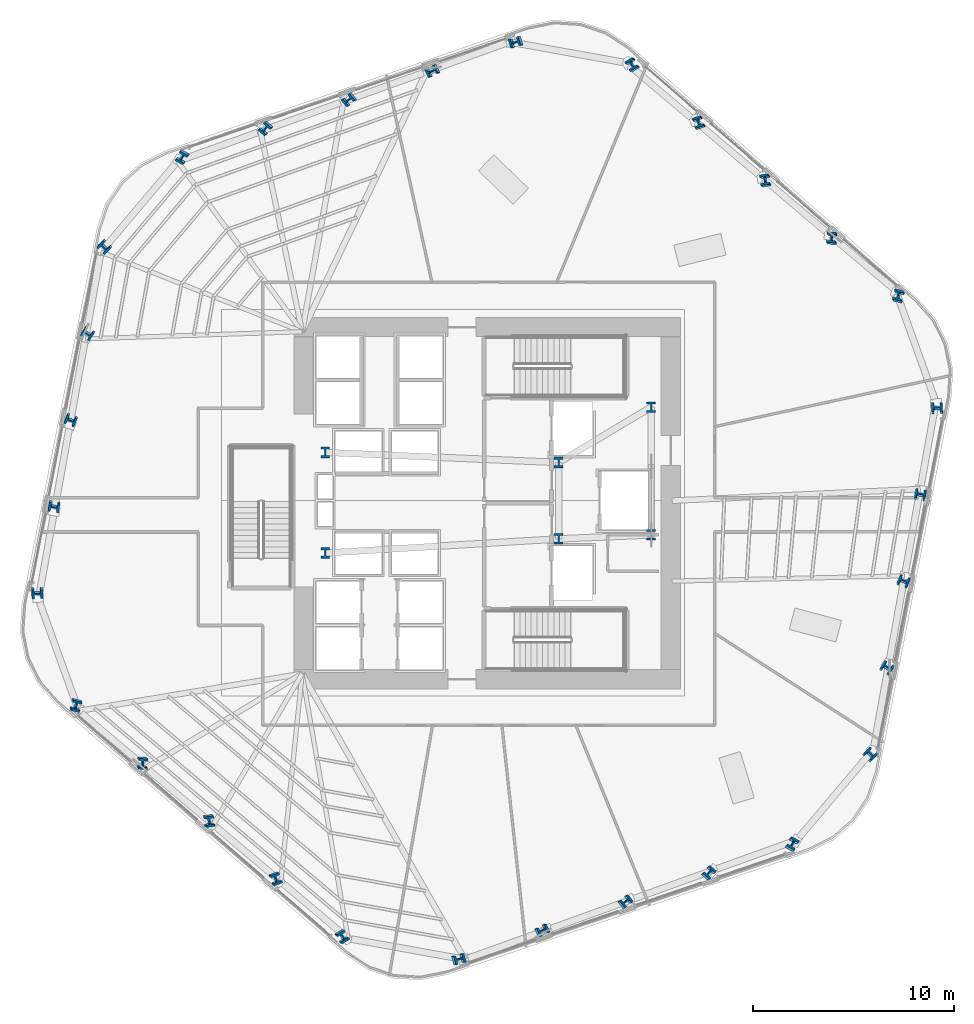
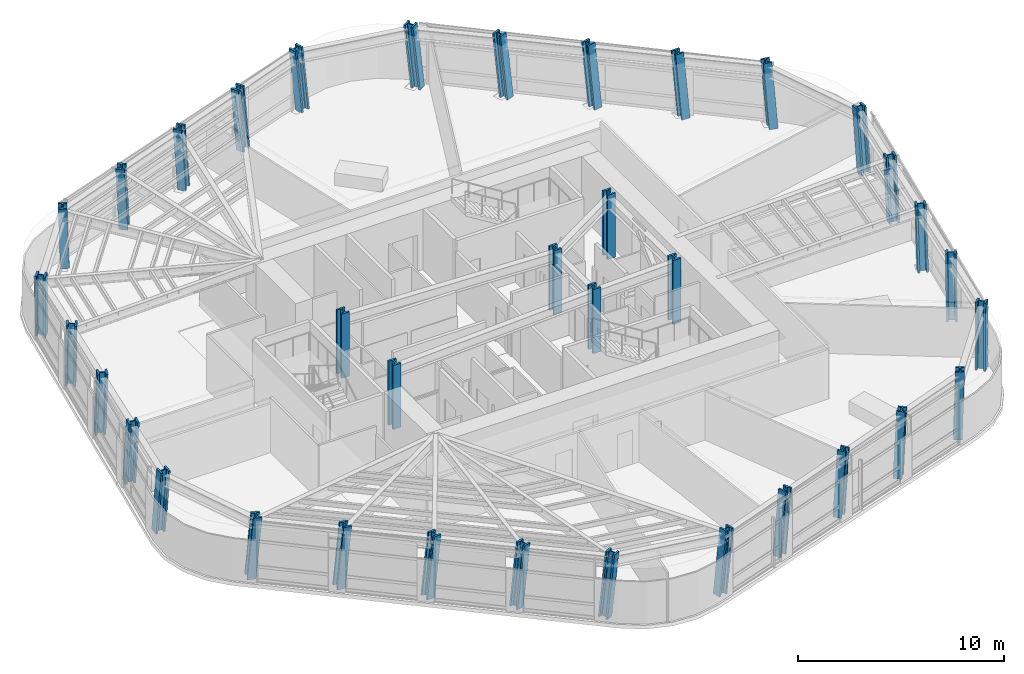
# One storey, part 1 of 16: 36 columns.
"""IFC4 building model written with IfcOpenShell, lengths in metres."""

from ifc_helpers import new_model, si_unit, direction, frame, origin, origin_2d, place, context, subcontext, project, spatial, i_section, extrude, material, material_profile, profile_set, type_object, element, save


model = new_model("IFC4")

# Units and contexts
model_context = context("Model", 3, precision=1e-05, world=origin(), true_north=direction((0.0, 1.0)))
body_context = subcontext(model_context, "Body", "Model", "MODEL_VIEW")
ifc_project = project(units=[si_unit("LENGTHUNIT", "METRE"), si_unit("AREAUNIT", "SQUARE_METRE"), si_unit("VOLUMEUNIT", "CUBIC_METRE"), si_unit("PLANEANGLEUNIT", "RADIAN"), si_unit("MASSUNIT", "GRAM", prefix="KILO")], contexts=[model_context])

# Site, building, storey
site_placement = place(None, origin())
site = spatial("IfcSite", under=ifc_project, at=site_placement, CompositionType="ELEMENT")
building_placement = place(site_placement, origin())
building = spatial("IfcBuilding", under=site, at=building_placement, Name="Valkerne Bourse Tower", CompositionType="ELEMENT")
storey_placement = place(building_placement, frame((0.0, 0.0, 104.800048828125)))
storey = spatial("IfcBuildingStorey", under=building, at=storey_placement, Name="L26", CompositionType="ELEMENT", Elevation=104.800048828125)

# Columns
ifc_material = material(Name="Steel ASTM A913 Grade 65", Category="steel")
ifc_material_profile = material_profile(ifc_material, i_section(OverallWidth=0.44189453125, OverallDepth=0.531005859375, WebThickness=0.06591796875, FlangeThickness=0.105712890625, FilletRadius=0.030517578125, at=origin_2d()), Name="W14X605")
ifc_profile_set = profile_set([ifc_material_profile], Name="Steel ASTM A913 Grade 65")
column_type = type_object("IfcColumnType", Name="COL-W14X605", PredefinedType="COLUMN", material=ifc_profile_set)
for number, where, z_axis, x_axis, name in (
    (1, (38.75, 24.39990234375, 0.0048828125), (0.0, 0.0, 1.0), (1.0, 0.0, 0.0), "L26 Core Frame Column CC-SW"),
    (2, (38.75, 29.39990234375, 0.0048828125), (0.0, 0.0, 1.0), (1.0, 0.0, 0.0), "L26 Core Frame Column CC-NW"),
    (3, (50.35009765625, 25.10009765625, 0.0048828125), (0.0, 0.0, 1.0), (1.0, 0.0, 0.0), "L26 Core Frame Column CC-CE1"),
    (4, (50.35009765625, 28.89990234375, 0.0048828125), (0.0, 0.0, 1.0), (1.0, 0.0, 0.0), "L26 Core Frame Column CC-CE2"),
    (5, (54.949951171875, 25.300048828125, 0.0048828125), (0.0, 0.0, 1.0), (1.0, 0.0, 0.0), "L26 Core Frame Column CC-SE"),
    (6, (54.949951171875, 31.64990234375, 0.0048828125), (0.0, 0.0, 1.0), (1.0, 0.0, 0.0), "L26 Core Frame Column CC-NE"),
):
    element("IfcColumn", number, at=place(storey_placement, frame(where, z_axis=z_axis, x_axis=x_axis)), inside=storey, type_object=column_type, Name=name, PredefinedType="COLUMN", context=body_context, shape_type="SweptSolid", body=[
        extrude(i_section(OverallWidth=0.44189453125, OverallDepth=0.531005859375, WebThickness=0.06591796875, FlangeThickness=0.105712890625, FilletRadius=0.030517578125, at=origin_2d()), origin(), (0.0, 0.0, 1.0), 3.795166015625),
    ])
column_1_placement = place(storey_placement, frame((67.268310546875, 37.12841796875, 0.010009765625), z_axis=(-0.042554608269, 0.084273552026, 0.995533562339), x_axis=(0.967657171188, -0.244515740525, 0.062061676448)))
element("IfcColumn", 7, at=column_1_placement, inside=storey, type_object=column_type, Name="L26 Helical Perimeter Tube Column F1-C1", PredefinedType="COLUMN", context=body_context, shape_type="SweptSolid", body=[
    extrude(i_section(OverallWidth=0.44189453125, OverallDepth=0.531005859375, WebThickness=0.06591796875, FlangeThickness=0.105712890625, FilletRadius=0.030517578125, at=origin_2d()), origin(), (0.0, 0.0, 1.0), 3.7978515625),
])
column_2_placement = place(storey_placement, frame((63.96533203125, 40.009765625, 0.010009765625), z_axis=(-0.054409218296, 0.070551905993, 0.996023124995), x_axis=(0.996579813475, -0.058295444049, 0.058568904521)))
element("IfcColumn", 8, at=column_2_placement, inside=storey, type_object=column_type, Name="L26 Helical Perimeter Tube Column F1-C2", PredefinedType="COLUMN", context=body_context, shape_type="SweptSolid", body=[
    extrude(i_section(OverallWidth=0.44189453125, OverallDepth=0.531005859375, WebThickness=0.06591796875, FlangeThickness=0.105712890625, FilletRadius=0.030517578125, at=origin_2d()), origin(), (0.0, 0.0, 1.0), 3.796142578125),
])
column_3_placement = place(storey_placement, frame((60.66259765625, 42.890869140625, 0.010009765625), z_axis=(-0.066253421397, 0.056862159723, 0.996181298231), x_axis=(0.987716186497, 0.1453361351, 0.057394623146)))
element("IfcColumn", 9, at=column_3_placement, inside=storey, type_object=column_type, Name="L26 Helical Perimeter Tube Column F1-C3", PredefinedType="COLUMN", context=body_context, shape_type="SweptSolid", body=[
    extrude(i_section(OverallWidth=0.44189453125, OverallDepth=0.531005859375, WebThickness=0.06591796875, FlangeThickness=0.105712890625, FilletRadius=0.030517578125, at=origin_2d()), origin(), (0.0, 0.0, 1.0), 3.79541015625),
])
column_4_placement = place(storey_placement, frame((57.359619140625, 45.772216796875, 0.010009765625), z_axis=(-0.078012087052, 0.043089940911, 0.996020768491), x_axis=(0.937486663564, 0.343054529885, 0.058586219919)))
element("IfcColumn", 10, at=column_4_placement, inside=storey, type_object=column_type, Name="L26 Helical Perimeter Tube Column F1-C4", PredefinedType="COLUMN", context=body_context, shape_type="SweptSolid", body=[
    extrude(i_section(OverallWidth=0.44189453125, OverallDepth=0.531005859375, WebThickness=0.06591796875, FlangeThickness=0.105712890625, FilletRadius=0.030517578125, at=origin_2d()), origin(), (0.0, 0.0, 1.0), 3.796142578125),
])
for number, where, z_axis, x_axis, name in (
    (11, (54.056884765625, 48.653564453125, 0.010009765625), (-0.089801315504, 0.029312383586, 0.995528255703), (0.855963296905, 0.513293889231, 0.062098451107), "L26 Helical Perimeter Tube Column F1-C5"),
    (12, (48.2626953125, 49.790283203125, 0.010009765625), (-0.094301166128, 0.005271094494, 0.995529761298), (-0.269166511682, 0.962607619164, -0.030593471777), "L26 Helical Perimeter Tube Column F2-C1"),
):
    element("IfcColumn", number, at=place(storey_placement, frame(where, z_axis=z_axis, x_axis=x_axis)), inside=storey, type_object=column_type, Name=name, PredefinedType="COLUMN", context=body_context, shape_type="SweptSolid", body=[
        extrude(i_section(OverallWidth=0.44189453125, OverallDepth=0.531005859375, WebThickness=0.06591796875, FlangeThickness=0.105712890625, FilletRadius=0.030517578125, at=origin_2d()), origin(), (0.0, 0.0, 1.0), 3.798095703125),
    ])
column_5_placement = place(storey_placement, frame((44.115966796875, 48.37060546875, 0.010009765625), z_axis=(-0.088302456678, -0.011833686838, 0.99602341338), x_axis=(-0.445435074695, 0.894849030075, -0.028858406149)))
element("IfcColumn", 13, at=column_5_placement, inside=storey, type_object=column_type, Name="L26 Helical Perimeter Tube Column F2-C2", PredefinedType="COLUMN", context=body_context, shape_type="SweptSolid", body=[
    extrude(i_section(OverallWidth=0.44189453125, OverallDepth=0.531005859375, WebThickness=0.06591796875, FlangeThickness=0.105712890625, FilletRadius=0.030517578125, at=origin_2d()), origin(), (0.0, 0.0, 1.0), 3.796142578125),
])
column_6_placement = place(storey_placement, frame((39.96923828125, 46.95068359375, 0.010009765625), z_axis=(-0.082334750053, -0.028881486542, 0.996186151615), x_axis=(-0.61765287133, 0.78594283489, -0.02826288774)))
element("IfcColumn", 14, at=column_6_placement, inside=storey, type_object=column_type, Name="L26 Helical Perimeter Tube Column F2-C3", PredefinedType="COLUMN", context=body_context, shape_type="SweptSolid", body=[
    extrude(i_section(OverallWidth=0.44189453125, OverallDepth=0.531005859375, WebThickness=0.06591796875, FlangeThickness=0.105712890625, FilletRadius=0.030517578125, at=origin_2d()), origin(), (0.0, 0.0, 1.0), 3.79541015625),
])
column_7_placement = place(storey_placement, frame((35.822509765625, 45.531005859375, 0.010009765625), z_axis=(-0.076275787175, -0.046048451617, 0.996022863389), x_axis=(-0.765163639954, 0.643188682684, -0.028860397765)))
element("IfcColumn", 15, at=column_7_placement, inside=storey, type_object=column_type, Name="L26 Helical Perimeter Tube Column F2-C4", PredefinedType="COLUMN", context=body_context, shape_type="SweptSolid", body=[
    extrude(i_section(OverallWidth=0.44189453125, OverallDepth=0.531005859375, WebThickness=0.06591796875, FlangeThickness=0.105712890625, FilletRadius=0.030517578125, at=origin_2d()), origin(), (0.0, 0.0, 1.0), 3.796142578125),
])
for number, where, z_axis, x_axis, name in (
    (16, (31.67578125, 44.111328125, 0.010009765625), (-0.070259809479, -0.063124549779, 0.995529432205), (-0.8721677387, 0.488249328013, -0.030594595357), "L26 Helical Perimeter Tube Column F2-C5"),
    (17, (27.79443359375, 39.661865234375, 0.010009765625), (-0.051746757435, -0.079002192406, 0.995530475018), (-0.696323860507, -0.711719460759, -0.092674108929), "L26 Helical Perimeter Tube Column F3-C1"),
):
    element("IfcColumn", number, at=place(storey_placement, frame(where, z_axis=z_axis, x_axis=x_axis)), inside=storey, type_object=column_type, Name=name, PredefinedType="COLUMN", context=body_context, shape_type="SweptSolid", body=[
        extrude(i_section(OverallWidth=0.44189453125, OverallDepth=0.531005859375, WebThickness=0.06591796875, FlangeThickness=0.105712890625, FilletRadius=0.030517578125, at=origin_2d()), origin(), (0.0, 0.0, 1.0), 3.798095703125),
    ])
column_8_placement = place(storey_placement, frame((26.95068359375, 35.36083984375, 0.010009765625), z_axis=(-0.033957482771, -0.082385483768, 0.996021847867), x_axis=(-0.550454874098, -0.83027300602, -0.087442364192)))
element("IfcColumn", 18, at=column_8_placement, inside=storey, type_object=column_type, Name="L26 Helical Perimeter Tube Column F3-C2", PredefinedType="COLUMN", context=body_context, shape_type="SweptSolid", body=[
    extrude(i_section(OverallWidth=0.44189453125, OverallDepth=0.531005859375, WebThickness=0.06591796875, FlangeThickness=0.105712890625, FilletRadius=0.030517578125, at=origin_2d()), origin(), (0.0, 0.0, 1.0), 3.796142578125),
])
column_9_placement = place(storey_placement, frame((26.106689453125, 31.059814453125, 0.010009765625), z_axis=(-0.01608102623, -0.085744031858, 0.996187412888), x_axis=(-0.369417913167, -0.925311759957, -0.085606964184)))
element("IfcColumn", 19, at=column_9_placement, inside=storey, type_object=column_type, Name="L26 Helical Perimeter Tube Column F3-C3", PredefinedType="COLUMN", context=body_context, shape_type="SweptSolid", body=[
    extrude(i_section(OverallWidth=0.44189453125, OverallDepth=0.531005859375, WebThickness=0.06591796875, FlangeThickness=0.105712890625, FilletRadius=0.030517578125, at=origin_2d()), origin(), (0.0, 0.0, 1.0), 3.79541015625),
])
column_10_placement = place(storey_placement, frame((25.262939453125, 26.7587890625, 0.010009765625), z_axis=(0.001672151692, -0.089074234337, 0.99602358641), x_axis=(-0.1741431569, -0.980831957444, -0.087423293019)))
element("IfcColumn", 20, at=column_10_placement, inside=storey, type_object=column_type, Name="L26 Helical Perimeter Tube Column F3-C4", PredefinedType="COLUMN", context=body_context, shape_type="SweptSolid", body=[
    extrude(i_section(OverallWidth=0.44189453125, OverallDepth=0.531005859375, WebThickness=0.06591796875, FlangeThickness=0.105712890625, FilletRadius=0.030517578125, at=origin_2d()), origin(), (0.0, 0.0, 1.0), 3.796142578125),
])
for number, where, z_axis, x_axis, name in (
    (21, (24.419189453125, 22.457763671875, 0.010009765625), (0.019477418863, -0.092373105301, 0.995533946971), (0.013175642082, -0.995612659947, -0.092638187634), "L26 Helical Perimeter Tube Column F3-C5"),
    (22, (26.331787109375, 16.87158203125, 0.010009765625), (0.042554608269, -0.084273552026, 0.995533562339), (0.967657171188, -0.244515740525, -0.062061676448), "L26 Helical Perimeter Tube Column F4-C1"),
):
    element("IfcColumn", number, at=place(storey_placement, frame(where, z_axis=z_axis, x_axis=x_axis)), inside=storey, type_object=column_type, Name=name, PredefinedType="COLUMN", context=body_context, shape_type="SweptSolid", body=[
        extrude(i_section(OverallWidth=0.44189453125, OverallDepth=0.531005859375, WebThickness=0.06591796875, FlangeThickness=0.105712890625, FilletRadius=0.030517578125, at=origin_2d()), origin(), (0.0, 0.0, 1.0), 3.7978515625),
    ])
column_11_placement = place(storey_placement, frame((29.634521484375, 13.990234375, 0.010009765625), z_axis=(0.054409218296, -0.070551905993, 0.996023124995), x_axis=(0.996579813475, -0.058295444049, -0.058568904521)))
element("IfcColumn", 23, at=column_11_placement, inside=storey, type_object=column_type, Name="L26 Helical Perimeter Tube Column F4-C2", PredefinedType="COLUMN", context=body_context, shape_type="SweptSolid", body=[
    extrude(i_section(OverallWidth=0.44189453125, OverallDepth=0.531005859375, WebThickness=0.06591796875, FlangeThickness=0.105712890625, FilletRadius=0.030517578125, at=origin_2d()), origin(), (0.0, 0.0, 1.0), 3.796142578125),
])
column_12_placement = place(storey_placement, frame((32.9375, 11.109130859375, 0.010009765625), z_axis=(0.066189379628, -0.056862401935, 0.996185541589), x_axis=(0.98778796281, 0.144860109183, -0.057362786674)))
element("IfcColumn", 24, at=column_12_placement, inside=storey, type_object=column_type, Name="L26 Helical Perimeter Tube Column F4-C3", PredefinedType="COLUMN", context=body_context, shape_type="SweptSolid", body=[
    extrude(i_section(OverallWidth=0.44189453125, OverallDepth=0.531005859375, WebThickness=0.06591796875, FlangeThickness=0.105712890625, FilletRadius=0.030517578125, at=origin_2d()), origin(), (0.0, 0.0, 1.0), 3.79541015625),
])
column_13_placement = place(storey_placement, frame((36.240234375, 8.227783203125, 0.010009765625), z_axis=(0.078076008512, -0.043089724632, 0.996015769216), x_axis=(0.937364109883, 0.343382988436, -0.058622937118)))
element("IfcColumn", 25, at=column_13_placement, inside=storey, type_object=column_type, Name="L26 Helical Perimeter Tube Column F4-C4", PredefinedType="COLUMN", context=body_context, shape_type="SweptSolid", body=[
    extrude(i_section(OverallWidth=0.44189453125, OverallDepth=0.531005859375, WebThickness=0.06591796875, FlangeThickness=0.105712890625, FilletRadius=0.030517578125, at=origin_2d()), origin(), (0.0, 0.0, 1.0), 3.796142578125),
])
column_14_placement = place(storey_placement, frame((39.543212890625, 5.346435546875, 0.010009765625), z_axis=(0.089801315504, -0.029312383586, 0.995528255703), x_axis=(0.855963296905, 0.513293889231, -0.062098451107)))
element("IfcColumn", 26, at=column_14_placement, inside=storey, type_object=column_type, Name="L26 Helical Perimeter Tube Column F4-C5", PredefinedType="COLUMN", context=body_context, shape_type="SweptSolid", body=[
    extrude(i_section(OverallWidth=0.44189453125, OverallDepth=0.531005859375, WebThickness=0.06591796875, FlangeThickness=0.105712890625, FilletRadius=0.030517578125, at=origin_2d()), origin(), (0.0, 0.0, 1.0), 3.798095703125),
])
column_15_placement = place(storey_placement, frame((45.33740234375, 4.209716796875, 0.010009765625), z_axis=(0.094237455547, -0.005271126436, 0.995535794032), x_axis=(-0.269131874152, 0.96261795853, 0.030572867573)))
element("IfcColumn", 27, at=column_15_placement, inside=storey, type_object=column_type, Name="L26 Helical Perimeter Tube Column F5-C1", PredefinedType="COLUMN", context=body_context, shape_type="SweptSolid", body=[
    extrude(i_section(OverallWidth=0.44189453125, OverallDepth=0.531005859375, WebThickness=0.06591796875, FlangeThickness=0.105712890625, FilletRadius=0.030517578125, at=origin_2d()), origin(), (0.0, 0.0, 1.0), 3.7978515625),
])
column_16_placement = place(storey_placement, frame((49.48388671875, 5.62939453125, 0.010009765625), z_axis=(0.088366268176, 0.01183361961, 0.99601775491), x_axis=(-0.445347515613, 0.894891948816, 0.028878889899)))
element("IfcColumn", 28, at=column_16_placement, inside=storey, type_object=column_type, Name="L26 Helical Perimeter Tube Column F5-C2", PredefinedType="COLUMN", context=body_context, shape_type="SweptSolid", body=[
    extrude(i_section(OverallWidth=0.44189453125, OverallDepth=0.531005859375, WebThickness=0.06591796875, FlangeThickness=0.105712890625, FilletRadius=0.030517578125, at=origin_2d()), origin(), (0.0, 0.0, 1.0), 3.796142578125),
])
column_17_placement = place(storey_placement, frame((53.630615234375, 7.04931640625, 0.010009765625), z_axis=(0.082334750053, 0.028881486542, 0.996186151615), x_axis=(-0.61765287133, 0.78594283489, 0.02826288774)))
element("IfcColumn", 29, at=column_17_placement, inside=storey, type_object=column_type, Name="L26 Helical Perimeter Tube Column F5-C3", PredefinedType="COLUMN", context=body_context, shape_type="SweptSolid", body=[
    extrude(i_section(OverallWidth=0.44189453125, OverallDepth=0.531005859375, WebThickness=0.06591796875, FlangeThickness=0.105712890625, FilletRadius=0.030517578125, at=origin_2d()), origin(), (0.0, 0.0, 1.0), 3.79541015625),
])
column_18_placement = place(storey_placement, frame((57.77734375, 8.468994140625, 0.010009765625), z_axis=(0.076339726009, 0.04604822563, 0.996017975314), x_axis=(-0.764922429938, 0.643474732964, 0.028878092305)))
element("IfcColumn", 30, at=column_18_placement, inside=storey, type_object=column_type, Name="L26 Helical Perimeter Tube Column F5-C4", PredefinedType="COLUMN", context=body_context, shape_type="SweptSolid", body=[
    extrude(i_section(OverallWidth=0.44189453125, OverallDepth=0.531005859375, WebThickness=0.06591796875, FlangeThickness=0.105712890625, FilletRadius=0.030517578125, at=origin_2d()), origin(), (0.0, 0.0, 1.0), 3.796142578125),
])
for number, where, z_axis, x_axis, name in (
    (31, (61.924072265625, 9.888671875, 0.010009765625), (0.070259809479, 0.063124549779, 0.995529432205), (-0.8721677387, 0.488249328013, 0.030594595357), "L26 Helical Perimeter Tube Column F5-C5"),
    (32, (65.8056640625, 14.338134765625, 0.010009765625), (0.051746757435, 0.079002192406, 0.995530475018), (-0.696323860507, -0.711719460759, 0.092674108929), "L26 Helical Perimeter Tube Column F6-C1"),
):
    element("IfcColumn", number, at=place(storey_placement, frame(where, z_axis=z_axis, x_axis=x_axis)), inside=storey, type_object=column_type, Name=name, PredefinedType="COLUMN", context=body_context, shape_type="SweptSolid", body=[
        extrude(i_section(OverallWidth=0.44189453125, OverallDepth=0.531005859375, WebThickness=0.06591796875, FlangeThickness=0.105712890625, FilletRadius=0.030517578125, at=origin_2d()), origin(), (0.0, 0.0, 1.0), 3.798095703125),
    ])
column_19_placement = place(storey_placement, frame((66.6494140625, 18.63916015625, 0.010009765625), z_axis=(0.033957482771, 0.082385483768, 0.996021847867), x_axis=(-0.550454874098, -0.83027300602, 0.087442364192)))
element("IfcColumn", 33, at=column_19_placement, inside=storey, type_object=column_type, Name="L26 Helical Perimeter Tube Column F6-C2", PredefinedType="COLUMN", context=body_context, shape_type="SweptSolid", body=[
    extrude(i_section(OverallWidth=0.44189453125, OverallDepth=0.531005859375, WebThickness=0.06591796875, FlangeThickness=0.105712890625, FilletRadius=0.030517578125, at=origin_2d()), origin(), (0.0, 0.0, 1.0), 3.796142578125),
])
column_20_placement = place(storey_placement, frame((67.4931640625, 22.940185546875, 0.010009765625), z_axis=(0.016145333601, 0.085743942987, 0.996186380375), x_axis=(-0.370088108208, -0.925042841679, 0.085618533164)))
element("IfcColumn", 34, at=column_20_placement, inside=storey, type_object=column_type, Name="L26 Helical Perimeter Tube Column F6-C3", PredefinedType="COLUMN", context=body_context, shape_type="SweptSolid", body=[
    extrude(i_section(OverallWidth=0.44189453125, OverallDepth=0.531005859375, WebThickness=0.06591796875, FlangeThickness=0.105712890625, FilletRadius=0.030517578125, at=origin_2d()), origin(), (0.0, 0.0, 1.0), 3.79541015625),
])
column_21_placement = place(storey_placement, frame((68.3369140625, 27.2412109375, 0.010009765625), z_axis=(-0.001672151692, 0.089074234337, 0.99602358641), x_axis=(-0.1741431569, -0.980831957444, 0.087423293019)))
element("IfcColumn", 35, at=column_21_placement, inside=storey, type_object=column_type, Name="L26 Helical Perimeter Tube Column F6-C4", PredefinedType="COLUMN", context=body_context, shape_type="SweptSolid", body=[
    extrude(i_section(OverallWidth=0.44189453125, OverallDepth=0.531005859375, WebThickness=0.06591796875, FlangeThickness=0.105712890625, FilletRadius=0.030517578125, at=origin_2d()), origin(), (0.0, 0.0, 1.0), 3.796142578125),
])
column_22_placement = place(storey_placement, frame((69.180908203125, 31.542236328125, 0.010009765625), z_axis=(-0.019541676266, 0.092372989455, 0.995532698462), x_axis=(0.013838640734, -0.995602463079, 0.092651106491)))
element("IfcColumn", 36, at=column_22_placement, inside=storey, type_object=column_type, Name="L26 Helical Perimeter Tube Column F6-C5", PredefinedType="COLUMN", context=body_context, shape_type="SweptSolid", body=[
    extrude(i_section(OverallWidth=0.44189453125, OverallDepth=0.531005859375, WebThickness=0.06591796875, FlangeThickness=0.105712890625, FilletRadius=0.030517578125, at=origin_2d()), origin(), (0.0, 0.0, 1.0), 3.7978515625),
])

save(model, "model.ifc")
